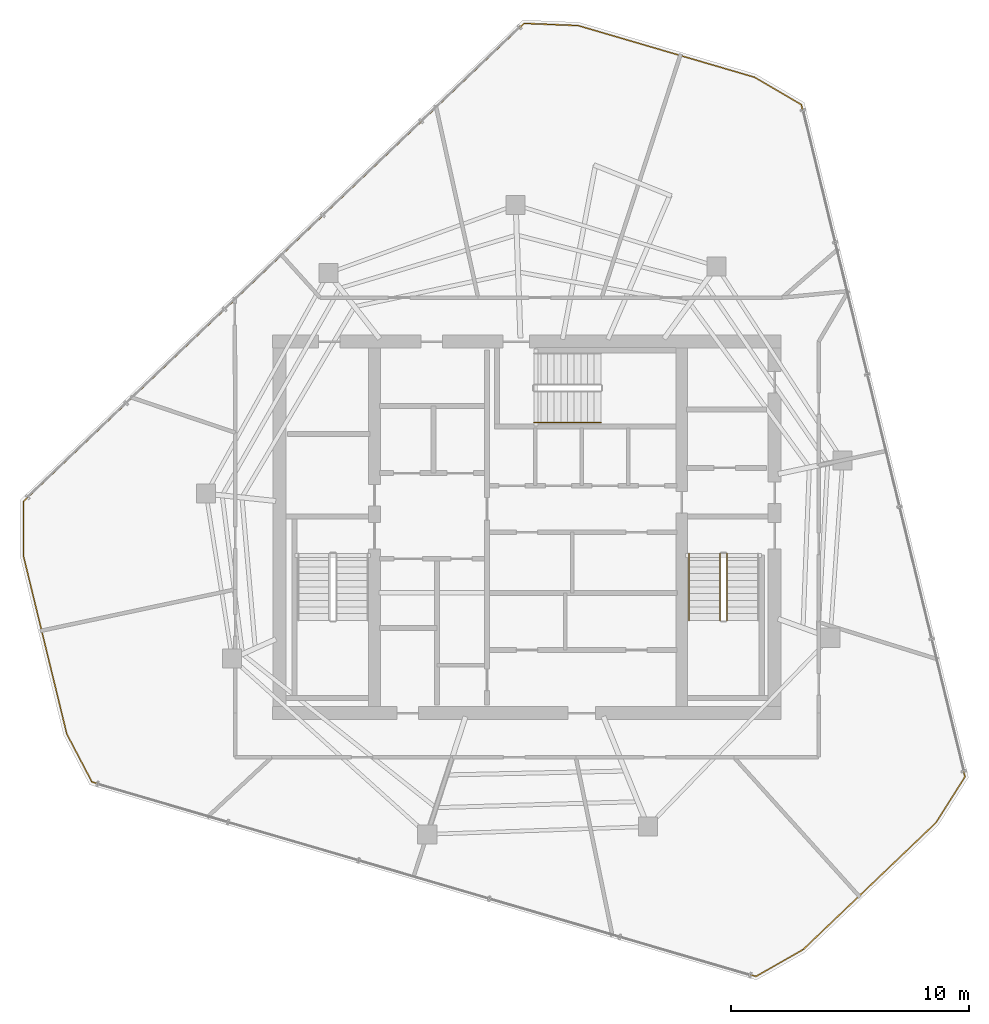
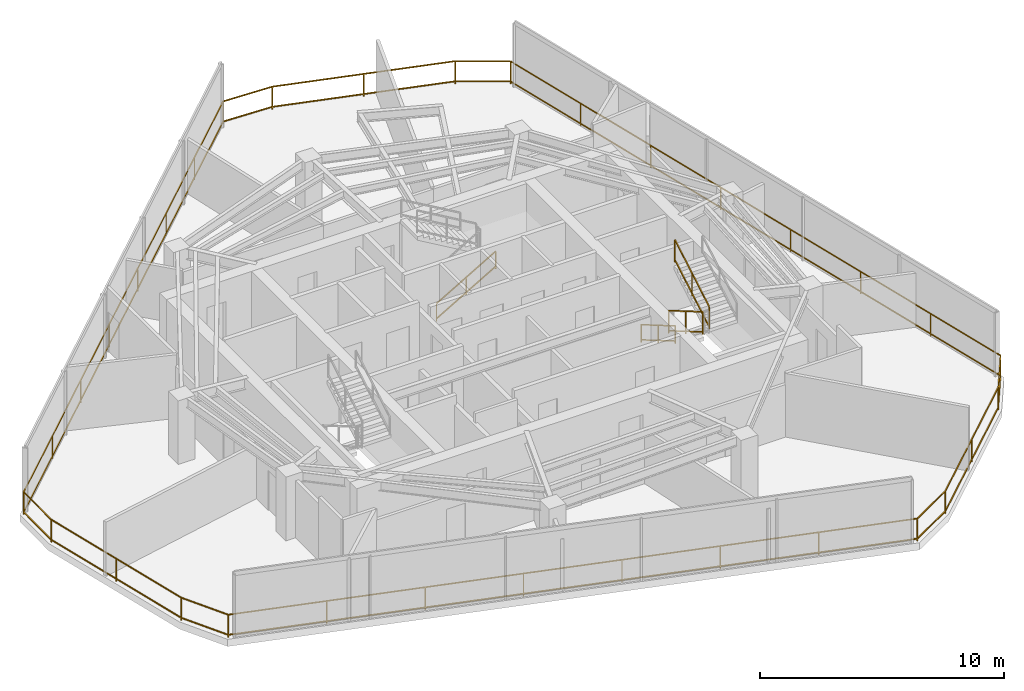
# One storey, part 18 of 19: 5 railings.
"""IFC4 building model written with IfcOpenShell, lengths in metres."""

from ifc_helpers import new_model, si_unit, direction, frame, origin, origin_2d, place, context, subcontext, project, spatial, rectangle, extrude, material, type_object, element, save


model = new_model("IFC4")

# Units and contexts
model_context = context("Model", 3, precision=1e-05, world=origin(), true_north=direction((0.0, 1.0)))
body_context = subcontext(model_context, "Body", "Model", "MODEL_VIEW")
ifc_project = project(units=[si_unit("LENGTHUNIT", "METRE"), si_unit("AREAUNIT", "SQUARE_METRE"), si_unit("VOLUMEUNIT", "CUBIC_METRE"), si_unit("PLANEANGLEUNIT", "RADIAN"), si_unit("MASSUNIT", "GRAM", prefix="KILO")], contexts=[model_context])

# Site, building, storey
site_placement = place(None, origin())
site = spatial("IfcSite", under=ifc_project, at=site_placement, CompositionType="ELEMENT")
building_placement = place(site_placement, origin())
building = spatial("IfcBuilding", under=site, at=building_placement, Name="Qarnah Convention Tower", CompositionType="ELEMENT")
storey_placement = place(building_placement, frame((0.0, 0.0, 231.89990234375)))
storey = spatial("IfcBuildingStorey", under=building, at=storey_placement, Name="L62", CompositionType="ELEMENT", Elevation=231.89990234375)

# Railings
ifc_material_1 = material(Name="Black anodised aluminium", Category="aluminium")
railing_type_1 = type_object("IfcRailingType", Name="RL-EXT-GUARD-1150", PredefinedType="GUARDRAIL", material=ifc_material_1)
railing_1_placement = place(storey_placement, frame((39.35009765625, 47.470947265625, 0.0)))
element("IfcRailing", 1, at=railing_1_placement, inside=storey, type_object=railing_type_1, Name="L62 slab-edge perimeter safety guard 01", PredefinedType="GUARDRAIL", context=body_context, shape_type="SweptSolid", body=[
    extrude(rectangle(XDim=0.048095703125, YDim=0.048095703125, at=origin_2d()), frame((0.0, 0.0, 1.1259765625), z_axis=(0.959702441371, -0.28101819163, 0.0), x_axis=(0.28101819163, 0.959702441371, 0.0)), (0.0, 0.0, 1.0), 7.714599609375),
    extrude(rectangle(XDim=0.048095703125, YDim=0.048095703125, at=origin_2d()), frame((0.0, 0.0, 0.1201171875), z_axis=(0.959702441371, -0.28101819163, 0.0), x_axis=(0.28101819163, 0.959702441371, 0.0)), (0.0, 0.0, 1.0), 7.714599609375),
    extrude(rectangle(XDim=0.048095703125, YDim=0.048095703125, at=origin_2d()), frame((7.40380859375, -2.16796875, 1.1259765625), z_axis=(0.863276663457, -0.504731019782, 0.0), x_axis=(0.504731019782, 0.863276663457, 0.0)), (0.0, 0.0, 1.0), 2.2763671875),
    extrude(rectangle(XDim=0.048095703125, YDim=0.048095703125, at=origin_2d()), frame((7.40380859375, -2.16796875, 0.1201171875), z_axis=(0.863276663457, -0.504731019782, 0.0), x_axis=(0.504731019782, 0.863276663457, 0.0)), (0.0, 0.0, 1.0), 2.2763671875),
    extrude(rectangle(XDim=0.048095703125, YDim=0.048095703125, at=origin_2d()), frame((9.368896484375, -3.31689453125, 1.1259765625), z_axis=(0.236508113007, -0.971629514003, 0.0), x_axis=(0.971629514003, 0.236508113007, 0.0)), (0.0, 0.0, 1.0), 29.05224609375),
    extrude(rectangle(XDim=0.048095703125, YDim=0.048095703125, at=origin_2d()), frame((9.368896484375, -3.31689453125, 0.1201171875), z_axis=(0.236508113007, -0.971629514003, 0.0), x_axis=(0.971629514003, 0.236508113007, 0.0)), (0.0, 0.0, 1.0), 29.05224609375),
    extrude(rectangle(XDim=0.048095703125, YDim=0.048095703125, at=origin_2d()), frame((16.239990234375, -31.544921875, 1.1259765625), z_axis=(-0.534569816202, -0.845124317249, 0.0), x_axis=(0.845124317249, -0.534569816202, 0.0)), (0.0, 0.0, 1.0), 2.276611328125),
    extrude(rectangle(XDim=0.048095703125, YDim=0.048095703125, at=origin_2d()), frame((16.239990234375, -31.544921875, 0.1201171875), z_axis=(-0.534569816202, -0.845124317249, 0.0), x_axis=(0.845124317249, -0.534569816202, 0.0)), (0.0, 0.0, 1.0), 2.276611328125),
    extrude(rectangle(XDim=0.048095703125, YDim=0.048095703125, at=origin_2d()), frame((15.02294921875, -33.468994140625, 1.1259765625), z_axis=(-0.723201772146, -0.690636805249, 0.0), x_axis=(0.690636805249, -0.723201772146, 0.0)), (0.0, 0.0, 1.0), 7.71435546875),
    extrude(rectangle(XDim=0.048095703125, YDim=0.048095703125, at=origin_2d()), frame((15.02294921875, -33.468994140625, 0.1201171875), z_axis=(-0.723201772146, -0.690636805249, 0.0), x_axis=(0.690636805249, -0.723201772146, 0.0)), (0.0, 0.0, 1.0), 7.71435546875),
    extrude(rectangle(XDim=0.048095703125, YDim=0.048095703125, at=origin_2d()), frame((9.44384765625, -38.796875, 1.1259765625), z_axis=(-0.868875987914, -0.495029814887, 0.0), x_axis=(0.495029814887, -0.868875987914, 0.0)), (0.0, 0.0, 1.0), 2.276611328125),
    extrude(rectangle(XDim=0.048095703125, YDim=0.048095703125, at=origin_2d()), frame((9.44384765625, -38.796875, 0.1201171875), z_axis=(-0.868875987914, -0.495029814887, 0.0), x_axis=(0.495029814887, -0.868875987914, 0.0)), (0.0, 0.0, 1.0), 2.276611328125),
    extrude(rectangle(XDim=0.048095703125, YDim=0.048095703125, at=origin_2d()), frame((7.4658203125, -39.923828125, 1.1259765625), z_axis=(-0.95970054485, 0.281024668337, 0.0), x_axis=(-0.281024668337, -0.95970054485, 0.0)), (0.0, 0.0, 1.0), 29.0537109375),
    extrude(rectangle(XDim=0.048095703125, YDim=0.048095703125, at=origin_2d()), frame((7.4658203125, -39.923828125, 0.1201171875), z_axis=(-0.95970054485, 0.281024668337, 0.0), x_axis=(-0.281024668337, -0.95970054485, 0.0)), (0.0, 0.0, 1.0), 29.0537109375),
    extrude(rectangle(XDim=0.048095703125, YDim=0.048095703125, at=origin_2d()), frame((-20.4169921875, -31.759033203125, 1.1259765625), z_axis=(-0.464215488238, 0.885722293092, 0.0), x_axis=(-0.885722293092, -0.464215488238, 0.0)), (0.0, 0.0, 1.0), 2.275146484375),
    extrude(rectangle(XDim=0.048095703125, YDim=0.048095703125, at=origin_2d()), frame((-20.4169921875, -31.759033203125, 0.1201171875), z_axis=(-0.464215488238, 0.885722293092, 0.0), x_axis=(-0.885722293092, -0.464215488238, 0.0)), (0.0, 0.0, 1.0), 2.275146484375),
    extrude(rectangle(XDim=0.048095703125, YDim=0.048095703125, at=origin_2d()), frame((-21.47314453125, -29.743896484375, 1.1259765625), z_axis=(-0.236580934109, 0.971611785445, 0.0), x_axis=(-0.971611785445, -0.236580934109, 0.0)), (0.0, 0.0, 1.0), 7.7138671875),
    extrude(rectangle(XDim=0.048095703125, YDim=0.048095703125, at=origin_2d()), frame((-21.47314453125, -29.743896484375, 0.1201171875), z_axis=(-0.236580934109, 0.971611785445, 0.0), x_axis=(-0.971611785445, -0.236580934109, 0.0)), (0.0, 0.0, 1.0), 7.7138671875),
    extrude(rectangle(XDim=0.048095703125, YDim=0.048095703125, at=origin_2d()), frame((-23.298095703125, -22.2490234375, 1.1259765625), z_axis=(0.005684773528, 0.999983841544, 0.0), x_axis=(-0.999983841544, 0.005684773528, 0.0)), (0.0, 0.0, 1.0), 2.276123046875),
    extrude(rectangle(XDim=0.048095703125, YDim=0.048095703125, at=origin_2d()), frame((-23.298095703125, -22.2490234375, 0.1201171875), z_axis=(0.005684773528, 0.999983841544, 0.0), x_axis=(-0.999983841544, 0.005684773528, 0.0)), (0.0, 0.0, 1.0), 2.276123046875),
    extrude(rectangle(XDim=0.048095703125, YDim=0.048095703125, at=origin_2d()), frame((-23.28515625, -19.972900390625, 1.1259765625), z_axis=(0.723200048486, 0.690638610179, 0.0), x_axis=(-0.690638610179, 0.723200048486, 0.0)), (0.0, 0.0, 1.0), 29.05419921875),
    extrude(rectangle(XDim=0.048095703125, YDim=0.048095703125, at=origin_2d()), frame((-23.28515625, -19.972900390625, 0.1201171875), z_axis=(0.723200048486, 0.690638610179, 0.0), x_axis=(-0.690638610179, 0.723200048486, 0.0)), (0.0, 0.0, 1.0), 29.05419921875),
    extrude(rectangle(XDim=0.048095703125, YDim=0.048095703125, at=origin_2d()), frame((-2.273193359375, 0.093017578125, 1.1259765625), z_axis=(0.999163853578, -0.040885128151, 0.0), x_axis=(0.040885128151, 0.999163853578, 0.0)), (0.0, 0.0, 1.0), 2.275146484375),
    extrude(rectangle(XDim=0.048095703125, YDim=0.048095703125, at=origin_2d()), frame((-2.273193359375, 0.093017578125, 0.1201171875), z_axis=(0.999163853578, -0.040885128151, 0.0), x_axis=(0.040885128151, 0.999163853578, 0.0)), (0.0, 0.0, 1.0), 2.275146484375),
    extrude(rectangle(XDim=0.0419921875, YDim=0.0419921875, at=origin_2d()), origin(), (0.0, 0.0, 1.0), 1.101806640625),
    extrude(rectangle(XDim=0.0419921875, YDim=0.0419921875, at=origin_2d()), frame((3.701904296875, -1.083984375, 0.0)), (0.0, 0.0, 1.0), 1.101806640625),
    extrude(rectangle(XDim=0.0419921875, YDim=0.0419921875, at=origin_2d()), frame((7.40380859375, -2.16796875, 0.0)), (0.0, 0.0, 1.0), 1.101806640625),
    extrude(rectangle(XDim=0.0419921875, YDim=0.0419921875, at=origin_2d()), frame((9.368896484375, -3.31689453125, 0.0)), (0.0, 0.0, 1.0), 1.101806640625),
    extrude(rectangle(XDim=0.0419921875, YDim=0.0419921875, at=origin_2d()), frame((10.3505859375, -7.349365234375, 0.0)), (0.0, 0.0, 1.0), 1.101806640625),
    extrude(rectangle(XDim=0.0419921875, YDim=0.0419921875, at=origin_2d()), frame((11.33203125, -11.382080078125, 0.0)), (0.0, 0.0, 1.0), 1.101806640625),
    extrude(rectangle(XDim=0.0419921875, YDim=0.0419921875, at=origin_2d()), frame((12.313720703125, -15.41455078125, 0.0)), (0.0, 0.0, 1.0), 1.101806640625),
    extrude(rectangle(XDim=0.0419921875, YDim=0.0419921875, at=origin_2d()), frame((13.295166015625, -19.447265625, 0.0)), (0.0, 0.0, 1.0), 1.101806640625),
    extrude(rectangle(XDim=0.0419921875, YDim=0.0419921875, at=origin_2d()), frame((14.27685546875, -23.479736328125, 0.0)), (0.0, 0.0, 1.0), 1.101806640625),
    extrude(rectangle(XDim=0.0419921875, YDim=0.0419921875, at=origin_2d()), frame((15.25830078125, -27.512451171875, 0.0)), (0.0, 0.0, 1.0), 1.101806640625),
    extrude(rectangle(XDim=0.0419921875, YDim=0.0419921875, at=origin_2d()), frame((16.239990234375, -31.544921875, 0.0)), (0.0, 0.0, 1.0), 1.101806640625),
    extrude(rectangle(XDim=0.0419921875, YDim=0.0419921875, at=origin_2d()), frame((15.02294921875, -33.468994140625, 0.0)), (0.0, 0.0, 1.0), 1.101806640625),
    extrude(rectangle(XDim=0.0419921875, YDim=0.0419921875, at=origin_2d()), frame((12.2333984375, -36.1328125, 0.0)), (0.0, 0.0, 1.0), 1.101806640625),
    extrude(rectangle(XDim=0.0419921875, YDim=0.0419921875, at=origin_2d()), frame((9.44384765625, -38.796875, 0.0)), (0.0, 0.0, 1.0), 1.101806640625),
    extrude(rectangle(XDim=0.0419921875, YDim=0.0419921875, at=origin_2d()), frame((7.4658203125, -39.923828125, 0.0)), (0.0, 0.0, 1.0), 1.101806640625),
    extrude(rectangle(XDim=0.0419921875, YDim=0.0419921875, at=origin_2d()), frame((3.482666015625, -38.75732421875, 0.0)), (0.0, 0.0, 1.0), 1.101806640625),
    extrude(rectangle(XDim=0.0419921875, YDim=0.0419921875, at=origin_2d()), frame((-0.500732421875, -37.591064453125, 0.0)), (0.0, 0.0, 1.0), 1.101806640625),
    extrude(rectangle(XDim=0.0419921875, YDim=0.0419921875, at=origin_2d()), frame((-4.48388671875, -36.424560546875, 0.0)), (0.0, 0.0, 1.0), 1.101806640625),
    extrude(rectangle(XDim=0.0419921875, YDim=0.0419921875, at=origin_2d()), frame((-8.46728515625, -35.25830078125, 0.0)), (0.0, 0.0, 1.0), 1.101806640625),
    extrude(rectangle(XDim=0.0419921875, YDim=0.0419921875, at=origin_2d()), frame((-12.450439453125, -34.091796875, 0.0)), (0.0, 0.0, 1.0), 1.101806640625),
    extrude(rectangle(XDim=0.0419921875, YDim=0.0419921875, at=origin_2d()), frame((-16.433837890625, -32.925537109375, 0.0)), (0.0, 0.0, 1.0), 1.101806640625),
    extrude(rectangle(XDim=0.0419921875, YDim=0.0419921875, at=origin_2d()), frame((-20.4169921875, -31.759033203125, 0.0)), (0.0, 0.0, 1.0), 1.101806640625),
    extrude(rectangle(XDim=0.0419921875, YDim=0.0419921875, at=origin_2d()), frame((-21.47314453125, -29.743896484375, 0.0)), (0.0, 0.0, 1.0), 1.101806640625),
    extrude(rectangle(XDim=0.0419921875, YDim=0.0419921875, at=origin_2d()), frame((-22.3857421875, -25.99658203125, 0.0)), (0.0, 0.0, 1.0), 1.101806640625),
    extrude(rectangle(XDim=0.0419921875, YDim=0.0419921875, at=origin_2d()), frame((-23.298095703125, -22.2490234375, 0.0)), (0.0, 0.0, 1.0), 1.101806640625),
    extrude(rectangle(XDim=0.0419921875, YDim=0.0419921875, at=origin_2d()), frame((-23.28515625, -19.972900390625, 0.0)), (0.0, 0.0, 1.0), 1.101806640625),
    extrude(rectangle(XDim=0.0419921875, YDim=0.0419921875, at=origin_2d()), frame((-20.283447265625, -17.1064453125, 0.0)), (0.0, 0.0, 1.0), 1.101806640625),
    extrude(rectangle(XDim=0.0419921875, YDim=0.0419921875, at=origin_2d()), frame((-17.28173828125, -14.23974609375, 0.0)), (0.0, 0.0, 1.0), 1.101806640625),
    extrude(rectangle(XDim=0.0419921875, YDim=0.0419921875, at=origin_2d()), frame((-14.280029296875, -11.373291015625, 0.0)), (0.0, 0.0, 1.0), 1.101806640625),
    extrude(rectangle(XDim=0.0419921875, YDim=0.0419921875, at=origin_2d()), frame((-11.2783203125, -8.506591796875, 0.0)), (0.0, 0.0, 1.0), 1.101806640625),
    extrude(rectangle(XDim=0.0419921875, YDim=0.0419921875, at=origin_2d()), frame((-8.276611328125, -5.64013671875, 0.0)), (0.0, 0.0, 1.0), 1.101806640625),
    extrude(rectangle(XDim=0.0419921875, YDim=0.0419921875, at=origin_2d()), frame((-5.27490234375, -2.7734375, 0.0)), (0.0, 0.0, 1.0), 1.101806640625),
    extrude(rectangle(XDim=0.0419921875, YDim=0.0419921875, at=origin_2d()), frame((-2.273193359375, 0.093017578125, 0.0)), (0.0, 0.0, 1.0), 1.101806640625),
])
ifc_material_2 = material(Name="Structural steel S355JR", Category="steel")
railing_type_2 = type_object("IfcRailingType", Name="RL-STAIR-GUARD-1150", PredefinedType="GUARDRAIL", material=ifc_material_2)
railing_2_placement = place(storey_placement, frame((45.300048828125, 25.300048828125, 0.163818359375)))
element("IfcRailing", 2, at=railing_2_placement, inside=storey, type_object=railing_type_2, Name="L62 ST-2 stair guard 1", PredefinedType="GUARDRAIL", context=body_context, shape_type="SweptSolid", body=[
    extrude(rectangle(XDim=0.048095703125, YDim=0.048095703125, at=origin_2d()), frame((0.0, 0.0, 1.1259765625), z_axis=(0.0, -0.863393664356, 0.504530851732), x_axis=(1.0, 0.0, 0.0)), (0.0, 0.0, 1.0), 3.2431640625),
    extrude(rectangle(XDim=0.048095703125, YDim=0.048095703125, at=origin_2d()), frame((0.0, 0.0, 0.1201171875), z_axis=(0.0, -0.863393664356, 0.504530851732), x_axis=(1.0, 0.0, 0.0)), (0.0, 0.0, 1.0), 3.2431640625),
    extrude(rectangle(XDim=0.0419921875, YDim=0.0419921875, at=origin_2d()), origin(), (0.0, 0.0, 1.0), 1.101806640625),
    extrude(rectangle(XDim=0.0419921875, YDim=0.0419921875, at=origin_2d()), frame((0.0, -1.39990234375, 0.818115234375)), (0.0, 0.0, 1.0), 1.101806640625),
    extrude(rectangle(XDim=0.0419921875, YDim=0.0419921875, at=origin_2d()), frame((0.0, -2.800048828125, 1.63623046875)), (0.0, 0.0, 1.0), 1.101806640625),
])
railing_3_placement = place(storey_placement, frame((45.60009765625, 22.5, 1.963623046875)))
element("IfcRailing", 3, at=railing_3_placement, inside=storey, type_object=railing_type_2, Name="L62 ST-2 stair guard 3", PredefinedType="GUARDRAIL", context=body_context, shape_type="SweptSolid", body=[
    extrude(rectangle(XDim=0.048095703125, YDim=0.048095703125, at=origin_2d()), frame((0.0, 0.0, 1.1259765625), z_axis=(0.0, 0.863360870873, 0.504586966384), x_axis=(-1.0, 0.0, 0.0)), (0.0, 0.0, 1.0), 3.2431640625),
    extrude(rectangle(XDim=0.048095703125, YDim=0.048095703125, at=origin_2d()), frame((0.0, 0.0, 0.1201171875), z_axis=(0.0, 0.863360870873, 0.504586966384), x_axis=(-1.0, 0.0, 0.0)), (0.0, 0.0, 1.0), 3.2431640625),
    extrude(rectangle(XDim=0.0419921875, YDim=0.0419921875, at=origin_2d()), origin(), (0.0, 0.0, 1.0), 1.101806640625),
    extrude(rectangle(XDim=0.0419921875, YDim=0.0419921875, at=origin_2d()), frame((0.0, 1.39990234375, 0.818359375)), (0.0, 0.0, 1.0), 1.101806640625),
    extrude(rectangle(XDim=0.0419921875, YDim=0.0419921875, at=origin_2d()), frame((0.0, 2.800048828125, 1.636474609375)), (0.0, 0.0, 1.0), 1.101806640625),
])
railing_type_3 = type_object("IfcRailingType", Name="RL-STAIR-HAND-900", PredefinedType="HANDRAIL", material=ifc_material_2)
railing_4_placement = place(storey_placement, frame((44.0, 25.300048828125, 0.163818359375)))
element("IfcRailing", 4, at=railing_4_placement, inside=storey, type_object=railing_type_3, Name="L62 ST-2 stair handrail 1", PredefinedType="HANDRAIL", context=body_context, shape_type="SweptSolid", body=[
    extrude(rectangle(XDim=0.048095703125, YDim=0.048095703125, at=origin_2d()), frame((0.0, 0.0, 0.8759765625), z_axis=(0.0, -0.863393664356, 0.504530851732), x_axis=(1.0, 0.0, 0.0)), (0.0, 0.0, 1.0), 3.2431640625),
    extrude(rectangle(XDim=0.048095703125, YDim=0.048095703125, at=origin_2d()), frame((0.0, 0.0, 0.1201171875), z_axis=(0.0, -0.863393664356, 0.504530851732), x_axis=(1.0, 0.0, 0.0)), (0.0, 0.0, 1.0), 3.2431640625),
    extrude(rectangle(XDim=0.0419921875, YDim=0.0419921875, at=origin_2d()), origin(), (0.0, 0.0, 1.0), 0.851806640625),
    extrude(rectangle(XDim=0.0419921875, YDim=0.0419921875, at=origin_2d()), frame((0.0, -1.39990234375, 0.818115234375)), (0.0, 0.0, 1.0), 0.851806640625),
    extrude(rectangle(XDim=0.0419921875, YDim=0.0419921875, at=origin_2d()), frame((0.0, -2.800048828125, 1.63623046875)), (0.0, 0.0, 1.0), 0.851806640625),
])
railing_5_placement = place(storey_placement, frame((37.5, 30.800048828125, 0.163818359375)))
element("IfcRailing", 5, at=railing_5_placement, inside=storey, type_object=railing_type_3, Name="L62 ST-3 stair handrail 1", PredefinedType="HANDRAIL", context=body_context, shape_type="SweptSolid", body=[
    extrude(rectangle(XDim=0.048095703125, YDim=0.048095703125, at=origin_2d()), frame((0.0, 0.0, 0.8759765625), z_axis=(0.863393664356, 0.0, 0.504530851732), x_axis=(0.0, 1.0, 0.0)), (0.0, 0.0, 1.0), 3.2431640625),
    extrude(rectangle(XDim=0.048095703125, YDim=0.048095703125, at=origin_2d()), frame((0.0, 0.0, 0.1201171875), z_axis=(0.863393664356, 0.0, 0.504530851732), x_axis=(0.0, 1.0, 0.0)), (0.0, 0.0, 1.0), 3.2431640625),
    extrude(rectangle(XDim=0.0419921875, YDim=0.0419921875, at=origin_2d()), origin(), (0.0, 0.0, 1.0), 0.851806640625),
    extrude(rectangle(XDim=0.0419921875, YDim=0.0419921875, at=origin_2d()), frame((1.39990234375, 0.0, 0.818115234375)), (0.0, 0.0, 1.0), 0.851806640625),
    extrude(rectangle(XDim=0.0419921875, YDim=0.0419921875, at=origin_2d()), frame((2.800048828125, 0.0, 1.63623046875)), (0.0, 0.0, 1.0), 0.851806640625),
])

save(model, "model.ifc")
